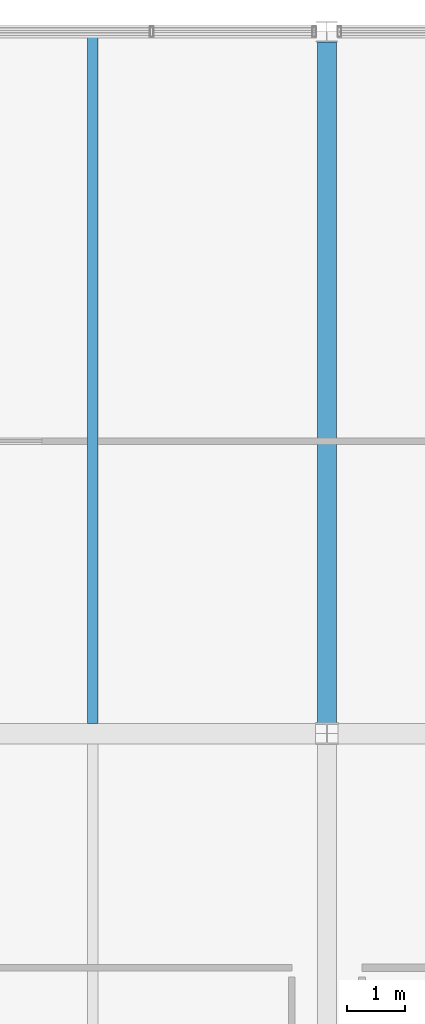
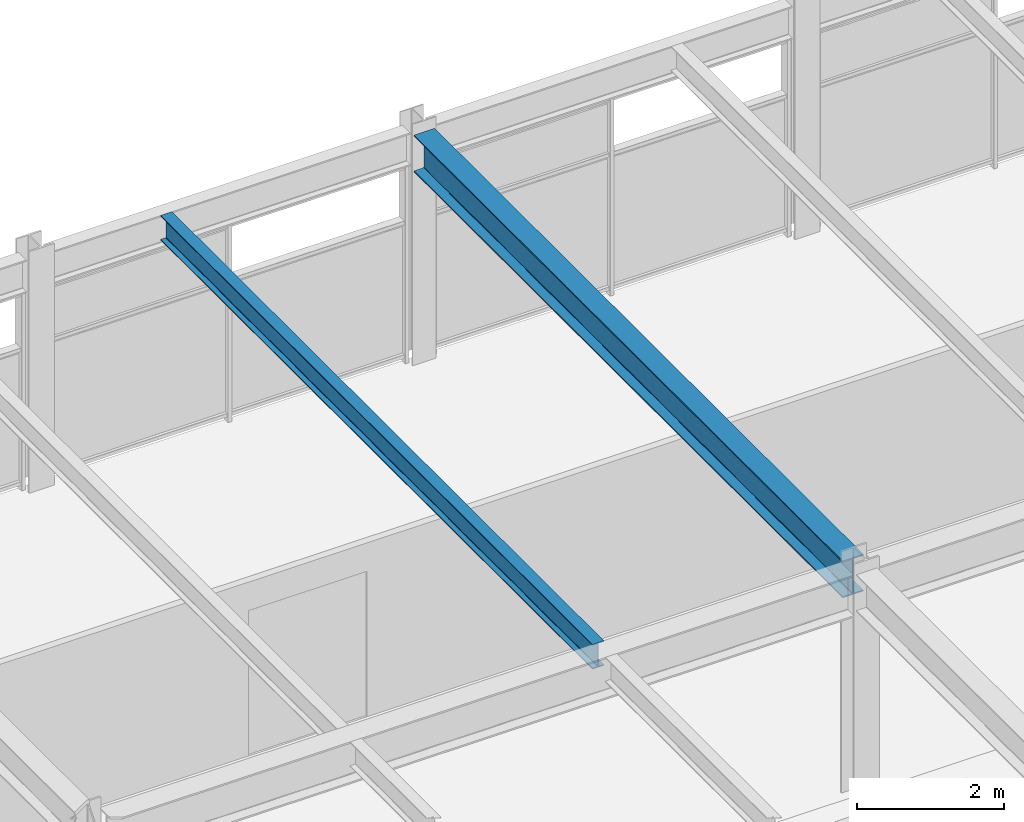
# One storey, part 22 of 40: 2 beams.
"""IFC4 building model written with IfcOpenShell, lengths in metres."""

from ifc_helpers import new_model, si_unit, direction, frame, origin, origin_2d, place, context, subcontext, project, spatial, i_section, extrude, material, material_profile, profile_set, type_object, element, save


model = new_model("IFC4")

# Units and contexts
model_context = context("Model", 3, precision=1e-05, world=origin(), true_north=direction((0.0, 1.0)))
body_context = subcontext(model_context, "Body", "Model", "MODEL_VIEW")
ifc_project = project(units=[si_unit("LENGTHUNIT", "METRE"), si_unit("AREAUNIT", "SQUARE_METRE"), si_unit("VOLUMEUNIT", "CUBIC_METRE"), si_unit("PLANEANGLEUNIT", "RADIAN"), si_unit("MASSUNIT", "GRAM", prefix="KILO")], contexts=[model_context])

# Site, building, storey
site_placement = place(None, origin())
site = spatial("IfcSite", under=ifc_project, at=site_placement, CompositionType="ELEMENT")
building_placement = place(site_placement, origin())
building = spatial("IfcBuilding", under=site, at=building_placement, Name="Girod Span Mobility Hub", CompositionType="ELEMENT")
storey_placement = place(building_placement, frame((0.0, 0.0, 53.60009765625)))
storey = spatial("IfcBuildingStorey", under=building, at=storey_placement, Name="L13", CompositionType="ELEMENT", Elevation=53.60009765625)

# Beams
ifc_material_1 = material(Name="Steel A992 Grade 50", Category="steel")
ifc_material_profile_1 = material_profile(ifc_material_1, i_section(OverallWidth=0.178955078125, OverallDepth=0.409912109375, WebThickness=0.0087890625, FlangeThickness=0.014404296875, FilletRadius=0.012939453125, at=origin_2d()), Name="W16X45")
ifc_profile_set_1 = profile_set([ifc_material_profile_1], Name="Steel A992 Grade 50")
beam_type_1 = type_object("IfcBeamType", Name="BM-STL-W16X45", PredefinedType="BEAM", material=ifc_profile_set_1)
beam_1_placement = place(storey_placement, frame((92.0, 57.174560546875, 3.60986328125), z_axis=(0.0, 1.0, 0.0), x_axis=(-1.0, 0.0, 0.0)))
element("IfcBeam", 1, at=beam_1_placement, inside=storey, type_object=beam_type_1, Name="Composite Floorbeam 8/E-2 L13", PredefinedType="BEAM", context=body_context, shape_type="SweptSolid", body=[
    extrude(i_section(OverallWidth=0.178955078125, OverallDepth=0.409912109375, WebThickness=0.0087890625, FlangeThickness=0.014404296875, FilletRadius=0.012939453125, at=origin_2d()), origin(), (0.0, 0.0, 1.0), 11.722412109375),
])
ifc_material_2 = material(Name="Steel A992 Grade 50", Category="steel")
ifc_material_profile_2 = material_profile(ifc_material_2, i_section(OverallWidth=0.323974609375, OverallDepth=0.611083984375, WebThickness=0.0126953125, FlangeThickness=0.01904296875, FilletRadius=0.014892578125, at=origin_2d()), Name="W24X104")
ifc_profile_set_2 = profile_set([ifc_material_profile_2], Name="Steel A992 Grade 50")
beam_type_2 = type_object("IfcBeamType", Name="BM-STL-W24X104", PredefinedType="BEAM", material=ifc_profile_set_2)
beam_2_placement = place(storey_placement, frame((96.0, 57.1845703125, 3.509521484375), z_axis=(0.0, 1.0, 0.0), x_axis=(-1.0, 0.0, 0.0)))
element("IfcBeam", 2, at=beam_2_placement, inside=storey, type_object=beam_type_2, Name="Tie Girder 9/E-F L13", PredefinedType="BEAM", context=body_context, shape_type="SweptSolid", body=[
    extrude(i_section(OverallWidth=0.323974609375, OverallDepth=0.611083984375, WebThickness=0.0126953125, FlangeThickness=0.01904296875, FilletRadius=0.014892578125, at=origin_2d()), origin(), (0.0, 0.0, 1.0), 11.640380859375),
])

save(model, "model.ifc")
